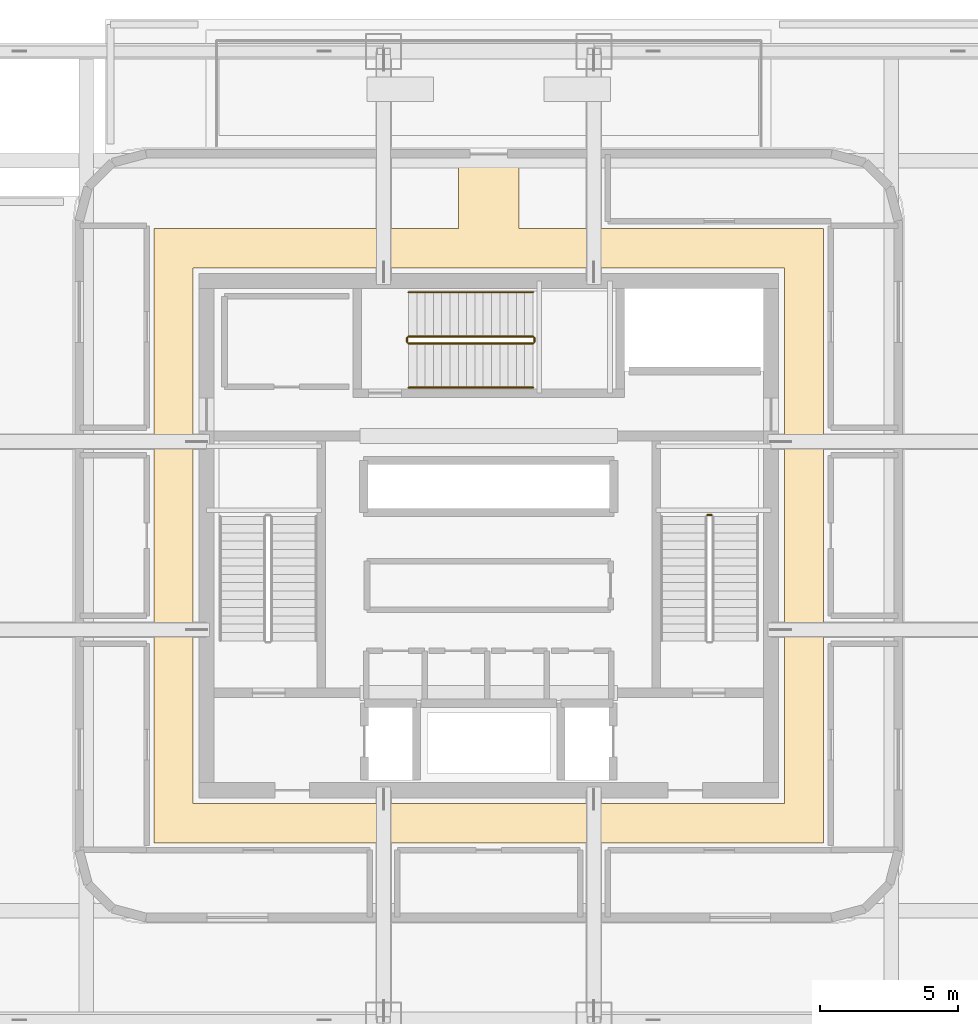
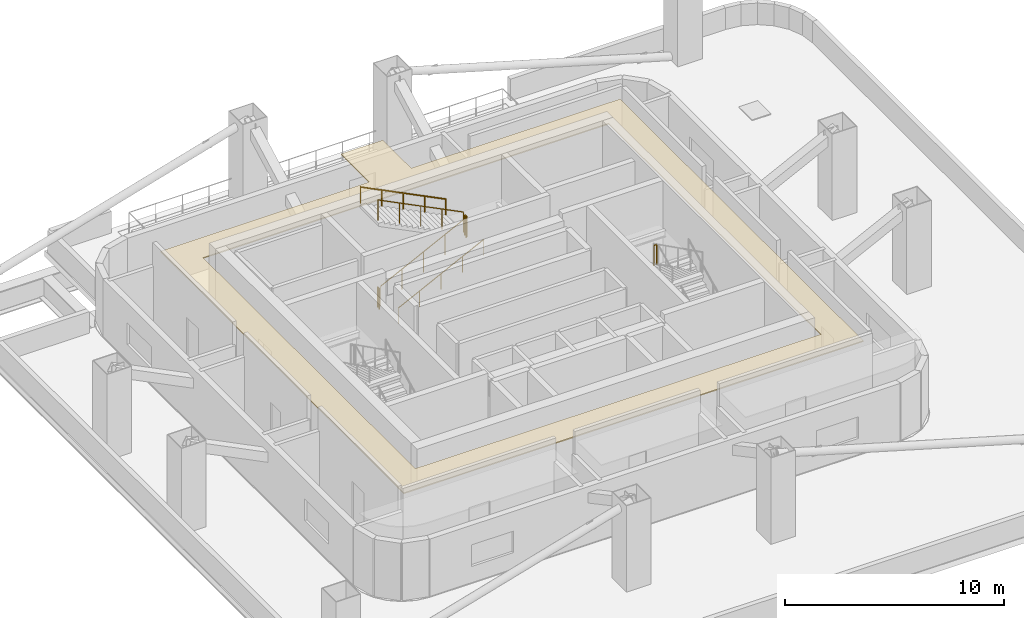
# One storey, part 10 of 11: 7 railings, 1 covering.
"""IFC4 building model written with IfcOpenShell, lengths in metres."""

from ifc_helpers import new_model, si_unit, direction, frame, origin, origin_2d, place, context, subcontext, project, spatial, polyline, circle, outline, extrude, material, layer, layer_set, type_object, element, save


model = new_model("IFC4")

# Units and contexts
model_context = context("Model", 3, precision=1e-05, world=origin(), true_north=direction((0.0, 1.0)))
body_context = subcontext(model_context, "Body", "Model", "MODEL_VIEW")
ifc_project = project(units=[si_unit("LENGTHUNIT", "METRE"), si_unit("AREAUNIT", "SQUARE_METRE"), si_unit("VOLUMEUNIT", "CUBIC_METRE"), si_unit("PLANEANGLEUNIT", "RADIAN"), si_unit("MASSUNIT", "GRAM", prefix="KILO")], contexts=[model_context])

# Site, building, storey
site_placement = place(None, origin())
site = spatial("IfcSite", under=ifc_project, at=site_placement, CompositionType="ELEMENT")
building_placement = place(site_placement, origin())
building = spatial("IfcBuilding", under=site, at=building_placement, Name="Punatoya Terracotta Tower", CompositionType="ELEMENT")
storey_placement = place(building_placement, frame((0.0, 0.0, 237.0)))
storey = spatial("IfcBuildingStorey", under=building, at=storey_placement, Name="L56", CompositionType="ELEMENT", Elevation=237.0)

# Covering
ifc_material_1 = material(Name="Acoustic Mineral Fibre Ceiling")
ifc_layer = layer(ifc_material_1, 0.06005859375)
ifc_layer_set = layer_set([ifc_layer], Name="Acoustic Mineral Fibre Ceiling")
covering_type = type_object("IfcCoveringType", Name="COV-CEIL-60", PredefinedType="CEILING", material=ifc_layer_set)
covering_placement = place(storey_placement, frame((0.0, 0.0, 3.8701171875)))
element("IfcCovering", 1, at=covering_placement, inside=storey, type_object=covering_type, Name="L56 Plant and Pressurized Refuge Ring Corridor Acoustic Ceiling", PredefinedType="CEILING", context=body_context, shape_type="SweptSolid", body=[
    extrude(outline(polyline([(12.10009765625, 11.10009765625), (1.10009765625, 11.10009765625), (1.10009765625, 13.679931640625), (-1.10009765625, 13.679931640625), (-1.10009765625, 11.10009765625), (-12.10009765625, 11.10009765625), (-12.10009765625, -11.10009765625), (12.10009765625, -11.10009765625), (12.10009765625, 11.10009765625)]), holes=[polyline([(-10.679931640625, 9.679931640625), (10.679931640625, 9.679931640625), (10.679931640625, -9.679931640625), (-10.679931640625, -9.679931640625), (-10.679931640625, 9.679931640625)])]), origin(), (0.0, 0.0, 1.0), 0.059814453125),
])

# Railings
ifc_material_2 = material(Name="Steel S355", Category="steel")
railing_type_1 = type_object("IfcRailingType", Name="RLG-GRD-1150", PredefinedType="GUARDRAIL", material=ifc_material_2)
railing_1_placement = place(storey_placement, frame((8.050048828125, 0.75, 2.39990234375)))
element("IfcRailing", 2, at=railing_1_placement, inside=storey, type_object=railing_type_1, Name="L56 ST-2 stair guard 2", PredefinedType="GUARDRAIL", context=body_context, shape_type="SweptSolid", body=[
    extrude(circle(Radius=0.02392578125, at=origin_2d()), frame((0.0, 0.0, 1.1259765625), z_axis=(-1.0, 0.0, 0.0), x_axis=(0.0, -1.0, 0.0)), (0.0, 0.0, 1.0), 0.150146484375),
    extrude(circle(Radius=0.02099609375, at=origin_2d()), origin(), (0.0, 0.0, 1.0), 1.101806640625),
    extrude(circle(Radius=0.02099609375, at=origin_2d()), frame((-0.150146484375, 0.0, 0.0)), (0.0, 0.0, 1.0), 1.101806640625),
])
railing_2_placement = place(storey_placement, frame((-2.89990234375, 6.949951171875, 0.14990234375)))
element("IfcRailing", 3, at=railing_2_placement, inside=storey, type_object=railing_type_1, Name="L56 ST-3 stair guard 1", PredefinedType="GUARDRAIL", context=body_context, shape_type="SweptSolid", body=[
    extrude(circle(Radius=0.02392578125, at=origin_2d()), frame((0.0, 0.0, 1.1259765625), z_axis=(0.894427191, 0.0, 0.4472135955), x_axis=(0.0, 1.0, 0.0)), (0.0, 0.0, 1.0), 5.03125),
    extrude(circle(Radius=0.02099609375, at=origin_2d()), origin(), (0.0, 0.0, 1.0), 1.101806640625),
    extrude(circle(Radius=0.02099609375, at=origin_2d()), frame((1.125, 0.0, 0.5625)), (0.0, 0.0, 1.0), 1.101806640625),
    extrude(circle(Radius=0.02099609375, at=origin_2d()), frame((2.25, 0.0, 1.125)), (0.0, 0.0, 1.0), 1.101806640625),
    extrude(circle(Radius=0.02099609375, at=origin_2d()), frame((3.375, 0.0, 1.6875)), (0.0, 0.0, 1.0), 1.101806640625),
    extrude(circle(Radius=0.02099609375, at=origin_2d()), frame((4.5, 0.0, 2.25)), (0.0, 0.0, 1.0), 1.101806640625),
])
railing_3_placement = place(storey_placement, frame((1.64990234375, 7.0, 2.39990234375)))
element("IfcRailing", 4, at=railing_3_placement, inside=storey, type_object=railing_type_1, Name="L56 ST-3 stair guard 2", PredefinedType="GUARDRAIL", context=body_context, shape_type="SweptSolid", body=[
    extrude(circle(Radius=0.02392578125, at=origin_2d()), frame((0.0, 0.0, 1.1259765625), z_axis=(0.0, 1.0, 0.0), x_axis=(-1.0, 0.0, 0.0)), (0.0, 0.0, 1.0), 0.14990234375),
    extrude(circle(Radius=0.02099609375, at=origin_2d()), origin(), (0.0, 0.0, 1.0), 1.101806640625),
    extrude(circle(Radius=0.02099609375, at=origin_2d()), frame((0.0, 0.14990234375, 0.0)), (0.0, 0.0, 1.0), 1.101806640625),
])
railing_4_placement = place(storey_placement, frame((1.60009765625, 7.199951171875, 2.550048828125)))
element("IfcRailing", 5, at=railing_4_placement, inside=storey, type_object=railing_type_1, Name="L56 ST-3 stair guard 3", PredefinedType="GUARDRAIL", context=body_context, shape_type="SweptSolid", body=[
    extrude(circle(Radius=0.02392578125, at=origin_2d()), frame((0.0, 0.0, 1.1259765625), z_axis=(-0.894427191, 0.0, 0.4472135955), x_axis=(0.0, -1.0, 0.0)), (0.0, 0.0, 1.0), 5.03125),
    extrude(circle(Radius=0.02099609375, at=origin_2d()), origin(), (0.0, 0.0, 1.0), 1.101806640625),
    extrude(circle(Radius=0.02099609375, at=origin_2d()), frame((-1.125, 0.0, 0.5625)), (0.0, 0.0, 1.0), 1.101806640625),
    extrude(circle(Radius=0.02099609375, at=origin_2d()), frame((-2.25, 0.0, 1.125)), (0.0, 0.0, 1.0), 1.101806640625),
    extrude(circle(Radius=0.02099609375, at=origin_2d()), frame((-3.375, 0.0, 1.6875)), (0.0, 0.0, 1.0), 1.101806640625),
    extrude(circle(Radius=0.02099609375, at=origin_2d()), frame((-4.5, 0.0, 2.25)), (0.0, 0.0, 1.0), 1.101806640625),
])
railing_5_placement = place(storey_placement, frame((-2.949951171875, 7.0, 0.0)))
element("IfcRailing", 6, at=railing_5_placement, inside=storey, type_object=railing_type_1, Name="L56 ST-3 stair guard 4", PredefinedType="GUARDRAIL", context=body_context, shape_type="SweptSolid", body=[
    extrude(circle(Radius=0.02392578125, at=origin_2d()), frame((0.0, 0.0, 1.1259765625), z_axis=(0.0, 1.0, 0.0), x_axis=(-1.0, 0.0, 0.0)), (0.0, 0.0, 1.0), 0.14990234375),
    extrude(circle(Radius=0.02099609375, at=origin_2d()), origin(), (0.0, 0.0, 1.0), 1.101806640625),
    extrude(circle(Radius=0.02099609375, at=origin_2d()), frame((0.0, 0.14990234375, 0.0)), (0.0, 0.0, 1.0), 1.101806640625),
])
railing_type_2 = type_object("IfcRailingType", Name="RLG-HND-900", PredefinedType="HANDRAIL", material=ifc_material_2)
railing_6_placement = place(storey_placement, frame((-2.89990234375, 5.35009765625, 0.14990234375)))
element("IfcRailing", 7, at=railing_6_placement, inside=storey, type_object=railing_type_2, Name="L56 ST-3 stair handrail 1", PredefinedType="HANDRAIL", context=body_context, shape_type="SweptSolid", body=[
    extrude(circle(Radius=0.02392578125, at=origin_2d()), frame((0.0, 0.0, 0.8759765625), z_axis=(0.894427191, 0.0, 0.4472135955), x_axis=(0.0, 1.0, 0.0)), (0.0, 0.0, 1.0), 5.03125),
    extrude(circle(Radius=0.02099609375, at=origin_2d()), origin(), (0.0, 0.0, 1.0), 0.851806640625),
    extrude(circle(Radius=0.02099609375, at=origin_2d()), frame((1.125, 0.0, 0.5625)), (0.0, 0.0, 1.0), 0.851806640625),
    extrude(circle(Radius=0.02099609375, at=origin_2d()), frame((2.25, 0.0, 1.125)), (0.0, 0.0, 1.0), 0.851806640625),
    extrude(circle(Radius=0.02099609375, at=origin_2d()), frame((3.375, 0.0, 1.6875)), (0.0, 0.0, 1.0), 0.851806640625),
    extrude(circle(Radius=0.02099609375, at=origin_2d()), frame((4.5, 0.0, 2.25)), (0.0, 0.0, 1.0), 0.851806640625),
])
railing_7_placement = place(storey_placement, frame((1.60009765625, 8.800048828125, 2.550048828125)))
element("IfcRailing", 8, at=railing_7_placement, inside=storey, type_object=railing_type_2, Name="L56 ST-3 stair handrail 2", PredefinedType="HANDRAIL", context=body_context, shape_type="SweptSolid", body=[
    extrude(circle(Radius=0.02392578125, at=origin_2d()), frame((0.0, 0.0, 0.8759765625), z_axis=(-0.894427191, 0.0, 0.4472135955), x_axis=(0.0, -1.0, 0.0)), (0.0, 0.0, 1.0), 5.03125),
    extrude(circle(Radius=0.02099609375, at=origin_2d()), origin(), (0.0, 0.0, 1.0), 0.851806640625),
    extrude(circle(Radius=0.02099609375, at=origin_2d()), frame((-1.125, 0.0, 0.5625)), (0.0, 0.0, 1.0), 0.851806640625),
    extrude(circle(Radius=0.02099609375, at=origin_2d()), frame((-2.25, 0.0, 1.125)), (0.0, 0.0, 1.0), 0.851806640625),
    extrude(circle(Radius=0.02099609375, at=origin_2d()), frame((-3.375, 0.0, 1.6875)), (0.0, 0.0, 1.0), 0.851806640625),
    extrude(circle(Radius=0.02099609375, at=origin_2d()), frame((-4.5, 0.0, 2.25)), (0.0, 0.0, 1.0), 0.851806640625),
])

save(model, "model.ifc")
